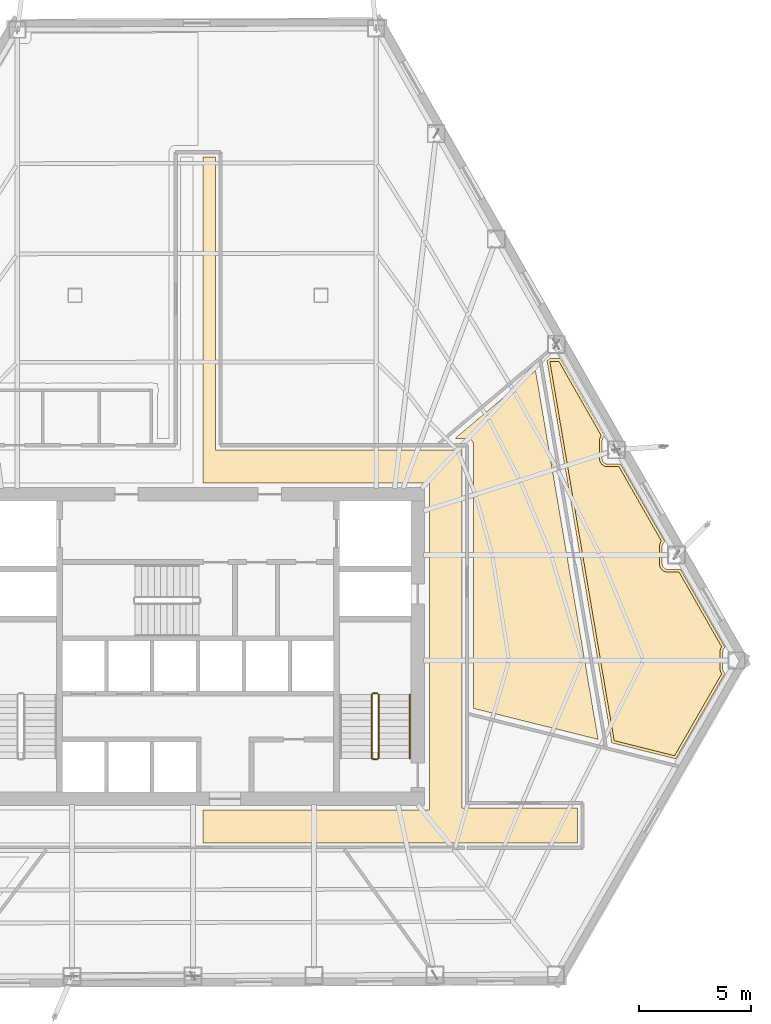
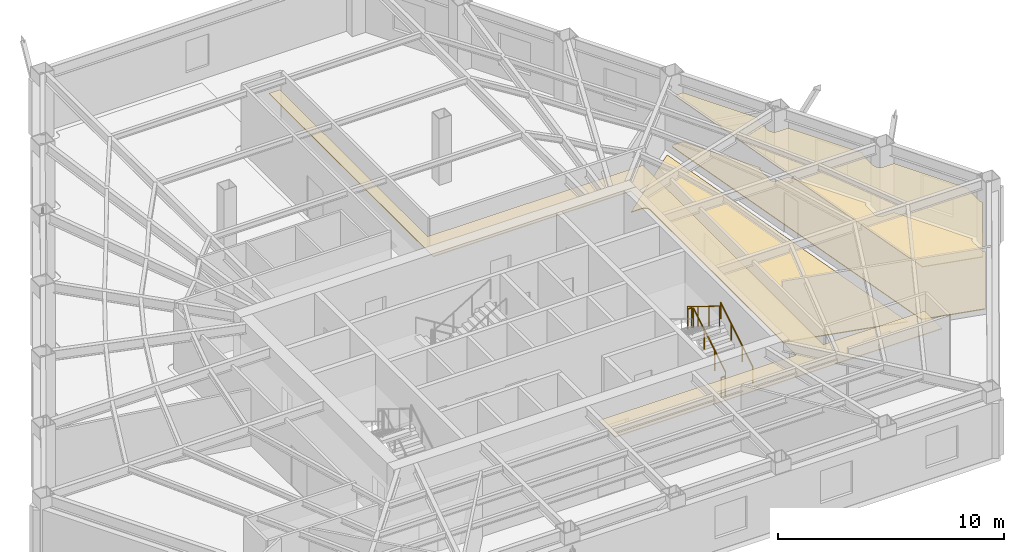
# One storey, part 12 of 12: 5 railings, 4 coverings.
"""IFC4 building model written with IfcOpenShell, lengths in metres."""

from ifc_helpers import new_model, si_unit, direction, frame, origin, origin_2d, place, context, subcontext, project, spatial, polyline, circle, outline, extrude, material, layer, layer_set, type_object, element, save


model = new_model("IFC4")

# Units and contexts
model_context = context("Model", 3, precision=1e-05, world=origin(), true_north=direction((0.0, 1.0)))
body_context = subcontext(model_context, "Body", "Model", "MODEL_VIEW")
ifc_project = project(units=[si_unit("LENGTHUNIT", "METRE"), si_unit("AREAUNIT", "SQUARE_METRE"), si_unit("VOLUMEUNIT", "CUBIC_METRE"), si_unit("PLANEANGLEUNIT", "RADIAN"), si_unit("MASSUNIT", "GRAM", prefix="KILO")], contexts=[model_context])

# Site, building, storey
site_placement = place(None, origin())
site = spatial("IfcSite", under=ifc_project, at=site_placement, CompositionType="ELEMENT")
building_placement = place(site_placement, origin())
building = spatial("IfcBuilding", under=site, at=building_placement, Name="Kavelnor Concourse Tower", CompositionType="ELEMENT")
storey_placement = place(building_placement, frame((0.0, 0.0, 13.699951171875)))
storey = spatial("IfcBuildingStorey", under=building, at=storey_placement, Name="L03", CompositionType="ELEMENT", Elevation=13.699951171875)

# Coverings
ifc_material_1 = material(Name="Mineral fibre acoustic ceiling tile")
ifc_layer_1 = layer(ifc_material_1, 0.0400390625, Name="Mineral fibre acoustic ceiling tile")
ifc_layer_set_1 = layer_set([ifc_layer_1], Name="Mineral fibre acoustic ceiling tile")
covering_type_1 = type_object("IfcCoveringType", Name="COV-CEILING-ACOUSTIC", PredefinedType="CEILING", material=ifc_layer_set_1)
covering_1_placement = place(storey_placement, frame((0.0, 0.0, 2.75)))
element("IfcCovering", 1, at=covering_1_placement, inside=storey, type_object=covering_type_1, Name="L03 Suspended Acoustic Ceiling", PredefinedType="CEILING", context=body_context, shape_type="SweptSolid", body=[
    extrude(outline(polyline([(38.780029296875, 37.97998046875), (38.780029296875, 24.8798828125), (49.800048828125, 24.8798828125), (49.800048828125, 8.8798828125), (54.970947265625, 8.8798828125), (54.970947265625, 7.320068359375), (38.22509765625, 7.320068359375), (38.22509765625, 8.780029296875), (48.340087890625, 8.780029296875), (48.340087890625, 23.419921875), (38.22509765625, 23.419921875), (38.22509765625, 37.97998046875), (38.780029296875, 37.97998046875)])), origin(), (0.0, 0.0, 1.0), 0.0400390625),
])
covering_2_placement = place(storey_placement, frame((0.0, 0.0, 2.75)))
element("IfcCovering", 2, at=covering_2_placement, inside=storey, type_object=covering_type_1, Name="L03 Suspended Acoustic Ceiling", PredefinedType="CEILING", context=body_context, shape_type="SweptSolid", body=[
    extrude(outline(polyline([(54.13330078125, 28.849365234375), (56.0283203125, 25.525634765625), (56.008544921875, 25.498779296875), (55.990234375, 25.468505859375), (55.97509765625, 25.4365234375), (55.96337890625, 25.4033203125), (55.95458984375, 25.368896484375), (55.949462890625, 25.333984375), (55.9482421875, 25.306884765625), (55.9482421875, 24.490478515625), (55.949462890625, 24.46337890625), (55.95458984375, 24.428466796875), (55.96337890625, 24.39404296875), (55.97509765625, 24.36083984375), (55.990234375, 24.328857421875), (56.008544921875, 24.298583984375), (56.029541015625, 24.27001953125), (56.053466796875, 24.243896484375), (56.07958984375, 24.22021484375), (56.10791015625, 24.198974609375), (56.13818359375, 24.180908203125), (56.17041015625, 24.165771484375), (56.20361328125, 24.15380859375), (56.23779296875, 24.145263671875), (56.27294921875, 24.139892578125), (56.2998046875, 24.138671875), (56.819091796875, 24.138671875), (58.714111328125, 20.815185546875), (58.6943359375, 20.788330078125), (58.676025390625, 20.758056640625), (58.660888671875, 20.72607421875), (58.649169921875, 20.69287109375), (58.640380859375, 20.658447265625), (58.63525390625, 20.62353515625), (58.634033203125, 20.596435546875), (58.634033203125, 19.77978515625), (58.63525390625, 19.7529296875), (58.640380859375, 19.718017578125), (58.649169921875, 19.68359375), (58.660888671875, 19.650390625), (58.676025390625, 19.618408203125), (58.6943359375, 19.587890625), (58.71533203125, 19.5595703125), (58.7392578125, 19.533447265625), (58.765380859375, 19.509521484375), (58.793701171875, 19.488525390625), (58.82421875, 19.47021484375), (58.856201171875, 19.455078125), (58.889404296875, 19.443359375), (58.923583984375, 19.434814453125), (58.958740234375, 19.429443359375), (58.985595703125, 19.42822265625), (59.5048828125, 19.42822265625), (61.4150390625, 16.078125), (61.400146484375, 16.057861328125), (61.3818359375, 16.027587890625), (61.36669921875, 15.99560546875), (61.35498046875, 15.962158203125), (61.34619140625, 15.927978515625), (61.341064453125, 15.892822265625), (61.33984375, 15.865966796875), (61.33984375, 15.08935546875), (61.341064453125, 15.062255859375), (61.34619140625, 15.02734375), (61.35498046875, 14.992919921875), (61.36669921875, 14.959716796875), (61.3818359375, 14.927734375), (61.400146484375, 14.8974609375), (61.4130859375, 14.880126953125), (59.304443359375, 11.2158203125), (56.605712890625, 11.888916015625), (53.732421875, 28.822021484375), (53.764892578125, 28.849365234375), (54.13330078125, 28.849365234375)])), origin(), (0.0, 0.0, 1.0), 0.0400390625),
])
ifc_material_2 = material(Name="Honed bluestone and raised access floor finish", Category="masonry")
ifc_layer_2 = layer(ifc_material_2, 0.0400390625, Name="Honed bluestone and raised access floor finish")
ifc_layer_set_2 = layer_set([ifc_layer_2], Name="Honed bluestone and raised access floor finish")
covering_type_2 = type_object("IfcCoveringType", Name="COV-FLOOR-STONE", PredefinedType="FLOORING", material=ifc_layer_set_2)
covering_3_placement = place(storey_placement, frame((0.0, 0.0, 0.001953125)))
element("IfcCovering", 3, at=covering_3_placement, inside=storey, type_object=covering_type_2, Name="L03 Honed Bluestone Floor Finish", PredefinedType="FLOORING", context=body_context, shape_type="SweptSolid", body=[
    extrude(outline(polyline([(50.3212890625, 25.129638671875), (50.31689453125, 25.1591796875), (50.309814453125, 25.18798828125), (50.2998046875, 25.2158203125), (50.287109375, 25.24267578125), (50.271728515625, 25.268310546875), (50.25390625, 25.2919921875), (50.234130859375, 25.314208984375), (50.212158203125, 25.333984375), (50.188232421875, 25.351806640625), (50.16259765625, 25.366943359375), (50.135986328125, 25.379638671875), (50.10791015625, 25.3896484375), (50.0791015625, 25.39697265625), (50.0498046875, 25.4013671875), (50.025390625, 25.402587890625), (49.49072265625, 25.402587890625), (53.087890625, 28.435546875), (55.88623046875, 11.944580078125), (50.322509765625, 13.331787109375), (50.322509765625, 25.10546875), (50.3212890625, 25.129638671875)])), origin(), (0.0, 0.0, 1.0), 0.0400390625),
])
covering_4_placement = place(storey_placement, frame((0.0, 0.0, 0.001953125)))
element("IfcCovering", 4, at=covering_4_placement, inside=storey, type_object=covering_type_2, Name="L03 Honed Bluestone Floor Finish", PredefinedType="FLOORING", context=body_context, shape_type="SweptSolid", body=[
    extrude(outline(polyline([(54.203125, 28.96923828125), (56.18017578125, 25.501708984375), (56.1748046875, 25.49853515625), (56.15576171875, 25.484375), (56.13818359375, 25.468505859375), (56.12255859375, 25.451171875), (56.1083984375, 25.43212890625), (56.09619140625, 25.412109375), (56.086181640625, 25.390625), (56.078369140625, 25.368408203125), (56.072509765625, 25.345703125), (56.069091796875, 25.322265625), (56.068115234375, 25.30419921875), (56.068115234375, 24.493408203125), (56.069091796875, 24.47509765625), (56.072509765625, 24.451904296875), (56.078369140625, 24.428955078125), (56.086181640625, 24.40673828125), (56.09619140625, 24.385498046875), (56.1083984375, 24.365234375), (56.12255859375, 24.34619140625), (56.13818359375, 24.328857421875), (56.15576171875, 24.31298828125), (56.1748046875, 24.298828125), (56.19482421875, 24.286865234375), (56.21630859375, 24.276611328125), (56.238525390625, 24.268798828125), (56.26123046875, 24.26318359375), (56.28466796875, 24.259521484375), (56.302734375, 24.2587890625), (56.888916015625, 24.2587890625), (58.865966796875, 20.791259765625), (58.860595703125, 20.7880859375), (58.841552734375, 20.77392578125), (58.82421875, 20.758056640625), (58.808349609375, 20.740478515625), (58.794189453125, 20.7216796875), (58.781982421875, 20.701416015625), (58.77197265625, 20.68017578125), (58.76416015625, 20.657958984375), (58.75830078125, 20.635009765625), (58.7548828125, 20.61181640625), (58.75390625, 20.593505859375), (58.75390625, 19.78271484375), (58.7548828125, 19.7646484375), (58.75830078125, 19.7412109375), (58.76416015625, 19.718505859375), (58.77197265625, 19.6962890625), (58.781982421875, 19.6748046875), (58.794189453125, 19.65478515625), (58.808349609375, 19.6357421875), (58.82421875, 19.618408203125), (58.841552734375, 19.6025390625), (58.860595703125, 19.58837890625), (58.880615234375, 19.576416015625), (58.902099609375, 19.566162109375), (58.92431640625, 19.558349609375), (58.947021484375, 19.552490234375), (58.970458984375, 19.549072265625), (58.988525390625, 19.548095703125), (59.57470703125, 19.548095703125), (61.5654296875, 16.056640625), (61.54736328125, 16.043212890625), (61.52978515625, 16.027587890625), (61.51416015625, 16.010009765625), (61.5, 15.9912109375), (61.48779296875, 15.970947265625), (61.477783203125, 15.949462890625), (61.469970703125, 15.92724609375), (61.464111328125, 15.904541015625), (61.460693359375, 15.881103515625), (61.459716796875, 15.863037109375), (61.459716796875, 15.09228515625), (61.460693359375, 15.073974609375), (61.464111328125, 15.05078125), (61.469970703125, 15.02783203125), (61.477783203125, 15.005615234375), (61.48779296875, 14.984375), (61.5, 14.964111328125), (61.51416015625, 14.9453125), (61.52978515625, 14.927734375), (61.54736328125, 14.911865234375), (61.56298828125, 14.900390625), (59.36328125, 11.07763671875), (56.50048828125, 11.791259765625), (53.6025390625, 28.869384765625), (53.720947265625, 28.96923828125), (54.203125, 28.96923828125)])), origin(), (0.0, 0.0, 1.0), 0.0400390625),
])

# Railings
ifc_material_3 = material(Name="Steel Grade 350", Category="steel")
railing_type_1 = type_object("IfcRailingType", Name="RLG-GUARD-1100", PredefinedType="GUARDRAIL", material=ifc_material_3)
railing_1_placement = place(storey_placement, frame((46.070068359375, 11.10009765625, 0.175048828125)))
element("IfcRailing", 5, at=railing_1_placement, inside=storey, type_object=railing_type_1, Name="L03 ST2 stair guard 1", PredefinedType="GUARDRAIL", context=body_context, shape_type="SweptSolid", body=[
    extrude(circle(Radius=0.02392578125, at=origin_2d()), frame((0.0, 0.0, 1.076171875), z_axis=(0.0, 0.852159232446, 0.523282564737), x_axis=(-1.0, 0.0, 0.0)), (0.0, 0.0, 1.0), 3.34423828125),
    extrude(circle(Radius=0.02099609375, at=origin_2d()), origin(), (0.0, 0.0, 1.0), 1.052001953125),
    extrude(circle(Radius=0.02099609375, at=origin_2d()), frame((0.0, 0.949951171875, 0.583251953125)), (0.0, 0.0, 1.0), 1.052001953125),
    extrude(circle(Radius=0.02099609375, at=origin_2d()), frame((0.0, 1.89990234375, 1.166748046875)), (0.0, 0.0, 1.0), 1.052001953125),
    extrude(circle(Radius=0.02099609375, at=origin_2d()), frame((0.0, 2.849853515625, 1.75)), (0.0, 0.0, 1.0), 1.052001953125),
])
railing_2_placement = place(storey_placement, frame((46.02001953125, 14.0, 1.925048828125)))
element("IfcRailing", 6, at=railing_2_placement, inside=storey, type_object=railing_type_1, Name="L03 ST2 stair guard 2", PredefinedType="GUARDRAIL", context=body_context, shape_type="SweptSolid", body=[
    extrude(circle(Radius=0.02392578125, at=origin_2d()), frame((0.0, 0.0, 1.076171875), z_axis=(-1.0, 0.0, 0.0), x_axis=(0.0, -1.0, 0.0)), (0.0, 0.0, 1.0), 0.199951171875),
    extrude(circle(Radius=0.02099609375, at=origin_2d()), origin(), (0.0, 0.0, 1.0), 1.052001953125),
    extrude(circle(Radius=0.02099609375, at=origin_2d()), frame((-0.199951171875, 0.0, 0.0)), (0.0, 0.0, 1.0), 1.052001953125),
])
railing_3_placement = place(storey_placement, frame((45.77001953125, 13.949951171875, 2.10009765625)))
element("IfcRailing", 7, at=railing_3_placement, inside=storey, type_object=railing_type_1, Name="L03 ST2 stair guard 3", PredefinedType="GUARDRAIL", context=body_context, shape_type="SweptSolid", body=[
    extrude(circle(Radius=0.02392578125, at=origin_2d()), frame((0.0, 0.0, 1.076171875), z_axis=(0.0, -0.852159232446, 0.523282564737), x_axis=(1.0, 0.0, 0.0)), (0.0, 0.0, 1.0), 3.34423828125),
    extrude(circle(Radius=0.02099609375, at=origin_2d()), origin(), (0.0, 0.0, 1.0), 1.052001953125),
    extrude(circle(Radius=0.02099609375, at=origin_2d()), frame((0.0, -0.949951171875, 0.583251953125)), (0.0, 0.0, 1.0), 1.052001953125),
    extrude(circle(Radius=0.02099609375, at=origin_2d()), frame((0.0, -1.89990234375, 1.166748046875)), (0.0, 0.0, 1.0), 1.052001953125),
    extrude(circle(Radius=0.02099609375, at=origin_2d()), frame((0.0, -2.849853515625, 1.75)), (0.0, 0.0, 1.0), 1.052001953125),
])
railing_4_placement = place(storey_placement, frame((46.02001953125, 11.050048828125, 0.0)))
element("IfcRailing", 8, at=railing_4_placement, inside=storey, type_object=railing_type_1, Name="L03 ST2 stair guard 4", PredefinedType="GUARDRAIL", context=body_context, shape_type="SweptSolid", body=[
    extrude(circle(Radius=0.02392578125, at=origin_2d()), frame((0.0, 0.0, 1.076171875), z_axis=(-1.0, 0.0, 0.0), x_axis=(0.0, -1.0, 0.0)), (0.0, 0.0, 1.0), 0.199951171875),
    extrude(circle(Radius=0.02099609375, at=origin_2d()), origin(), (0.0, 0.0, 1.0), 1.052001953125),
    extrude(circle(Radius=0.02099609375, at=origin_2d()), frame((-0.199951171875, 0.0, 0.0)), (0.0, 0.0, 1.0), 1.052001953125),
])
railing_type_2 = type_object("IfcRailingType", Name="RLG-HANDRAIL-900", PredefinedType="HANDRAIL", material=ifc_material_3)
railing_5_placement = place(storey_placement, frame((47.469970703125, 11.10009765625, 0.175048828125)))
element("IfcRailing", 9, at=railing_5_placement, inside=storey, type_object=railing_type_2, Name="L03 ST2 stair handrail 1", PredefinedType="HANDRAIL", context=body_context, shape_type="SweptSolid", body=[
    extrude(circle(Radius=0.02392578125, at=origin_2d()), frame((0.0, 0.0, 0.8759765625), z_axis=(0.0, 0.852159232446, 0.523282564737), x_axis=(-1.0, 0.0, 0.0)), (0.0, 0.0, 1.0), 3.34423828125),
    extrude(circle(Radius=0.02099609375, at=origin_2d()), origin(), (0.0, 0.0, 1.0), 0.851806640625),
    extrude(circle(Radius=0.02099609375, at=origin_2d()), frame((0.0, 0.949951171875, 0.583251953125)), (0.0, 0.0, 1.0), 0.851806640625),
    extrude(circle(Radius=0.02099609375, at=origin_2d()), frame((0.0, 1.89990234375, 1.166748046875)), (0.0, 0.0, 1.0), 0.851806640625),
    extrude(circle(Radius=0.02099609375, at=origin_2d()), frame((0.0, 2.849853515625, 1.75)), (0.0, 0.0, 1.0), 0.851806640625),
])

save(model, "model.ifc")
